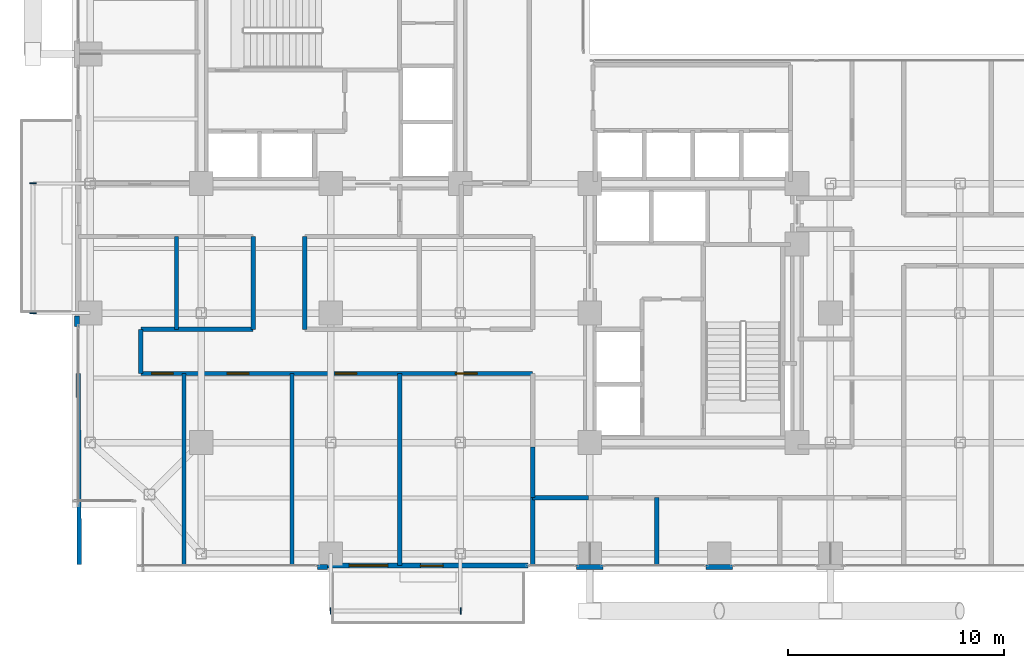
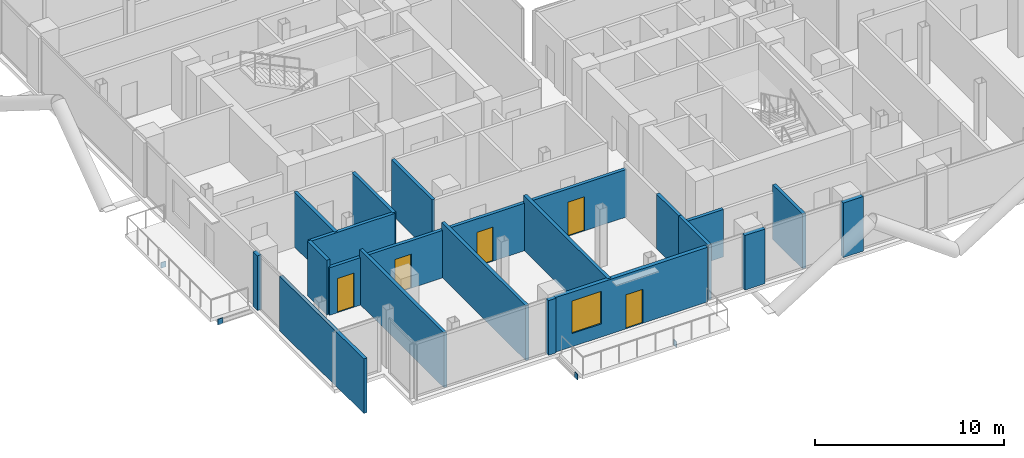
# One storey, part 18 of 24: 19 walls, 5 doors, 4 plates, 1 window, 6 openings.
"""IFC4 building model written with IfcOpenShell, lengths in metres."""

from ifc_helpers import new_model, si_unit, direction, frame, frame_2d, origin, origin_2d, place, context, subcontext, project, spatial, rectangle, extrude, material, layer, layer_set, type_object, element, fill, save


model = new_model("IFC4")

# Units and contexts
model_context = context("Model", 3, precision=1e-05, world=origin(), true_north=direction((0.0, 1.0)))
body_context = subcontext(model_context, "Body", "Model", "MODEL_VIEW")
ifc_project = project(units=[si_unit("LENGTHUNIT", "METRE"), si_unit("AREAUNIT", "SQUARE_METRE"), si_unit("VOLUMEUNIT", "CUBIC_METRE"), si_unit("PLANEANGLEUNIT", "RADIAN"), si_unit("MASSUNIT", "GRAM", prefix="KILO"), si_unit("THERMODYNAMICTEMPERATUREUNIT", "KELVIN"), si_unit("POWERUNIT", "WATT")], contexts=[model_context])

# Site, building, storey
site_placement = place(None, origin())
site = spatial("IfcSite", under=ifc_project, at=site_placement, CompositionType="ELEMENT")
building_placement = place(site_placement, origin())
building = spatial("IfcBuilding", under=site, at=building_placement, Name="Svarakhadi Broadcast Tower", CompositionType="ELEMENT")
storey_placement = place(building_placement, frame((0.0, 0.0, 115.64990234375)))
storey = spatial("IfcBuildingStorey", under=building, at=storey_placement, Name="L27", CompositionType="ELEMENT", Elevation=115.64990234375)

# Plates
ifc_material_1 = material(Name="Steel S460ML (IS 2062 E450BR)", Category="steel")
ifc_layer_1 = layer(ifc_material_1, 0.028076171875)
ifc_layer_set_1 = layer_set([ifc_layer_1], Name="Steel S460ML (IS 2062 E450BR)")
plate_type = type_object("IfcPlateType", Name="Cap_Plate_CP02", PredefinedType="USERDEFINED", material=ifc_layer_set_1)
for number, where, z_axis, x_axis, name in (
    (1, (11.985107421875, -1.800048828125, -0.55517578125), (0.0, 0.0, 1.0), (1.0, 0.0, 0.0), "L27 Balcony Spandrel End Cap Plate 1F-A"),
    (2, (18.014892578125, -1.800048828125, -0.55517578125), (0.0, 0.0, 1.0), (1.0, 0.0, 0.0), "L27 Balcony Spandrel End Cap Plate 1F-B"),
):
    element("IfcPlate", number, at=place(storey_placement, frame(where, z_axis=z_axis, x_axis=x_axis)), inside=storey, type_object=plate_type, Name=name, ObjectType="FLANGE_PLATE", PredefinedType="USERDEFINED", context=body_context, shape_type="SweptSolid", body=[
        extrude(rectangle(XDim=0.0400390625, YDim=0.300048828125, at=origin_2d()), origin(), (0.0, 0.0, 1.0), 0.360107421875),
    ])
for number, where, z_axis, x_axis, name in (
    (3, (-1.800048828125, 11.985107421875, -0.55517578125), (0.0, 0.0, 1.0), (1.0, 0.0, 0.0), "L27 Balcony Spandrel End Cap Plate 2F-A"),
    (4, (-1.800048828125, 18.014892578125, -0.55517578125), (0.0, 0.0, 1.0), (1.0, 0.0, 0.0), "L27 Balcony Spandrel End Cap Plate 2F-B"),
):
    element("IfcPlate", number, at=place(storey_placement, frame(where, z_axis=z_axis, x_axis=x_axis)), inside=storey, type_object=plate_type, Name=name, ObjectType="FLANGE_PLATE", PredefinedType="USERDEFINED", context=body_context, shape_type="SweptSolid", body=[
        extrude(rectangle(XDim=0.300048828125, YDim=0.0400390625, at=origin_2d()), origin(), (0.0, 0.0, 1.0), 0.360107421875),
    ])

# Walls
ifc_material_2 = material(Name="Double-Stud Acoustic Studio Partition STC-62", Category="gypsum")
ifc_layer_2 = layer(ifc_material_2, 0.199951171875)
ifc_layer_set_2 = layer_set([ifc_layer_2], Name="Double-Stud Acoustic Studio Partition STC-62")
wall_type_1 = type_object("IfcWallType", Name="Wall_Acoust_200", PredefinedType="PARTITIONING", material=ifc_layer_set_2)
for number, where, z_axis, x_axis, name in (
    (5, (21.35009765625, 0.300048828125, 0.0), (0.0, 0.0, 1.0), (0.0, 1.0, 0.0), "L27 Harbour Front Production Office Wall"),
    (6, (27.10009765625, 0.300048828125, 0.0), (0.0, 0.0, 1.0), (0.0, 1.0, 0.0), "L27 Harbour Front Production Office Wall"),
):
    element("IfcWall", number, at=place(storey_placement, frame(where, z_axis=z_axis, x_axis=x_axis)), inside=storey, type_object=wall_type_1, Name=name, PredefinedType="PARTITIONING", context=body_context, shape_type="SweptSolid", body=[
        extrude(rectangle(XDim=3.14990234375, YDim=0.199951171875, at=frame_2d((1.574951171875, 0.0))), origin(), (0.0, 0.0, 1.0), 3.525146484375),
    ])
wall_1_placement = place(storey_placement, frame((0.35009765625, 0.35009765625, 0.0), z_axis=(0.0, 0.0, 1.0), x_axis=(-0.005655237989, 0.999984009014, 0.0)))
element("IfcWall", 7, at=wall_1_placement, inside=storey, type_object=wall_type_1, Name="L27 Offline Edit Pod 1 Wall", PredefinedType="PARTITIONING", context=body_context, shape_type="SweptSolid", body=[
    extrude(rectangle(XDim=8.85009765625, YDim=0.199951171875, at=frame_2d((4.425048828125, 0.0))), origin(), (0.0, 0.0, 1.0), 3.525146484375),
])
for number, where, z_axis, x_axis, name in (
    (8, (5.199951171875, 0.300048828125, 0.0), (0.0, 0.0, 1.0), (0.0, 1.0, 0.0), "L27 Offline Edit Pod 1 Wall"),
    (9, (10.199951171875, 0.300048828125, 0.0), (0.0, 0.0, 1.0), (0.0, 1.0, 0.0), "L27 Offline Edit Pod 2 Wall"),
    (10, (15.199951171875, 0.300048828125, 0.0), (0.0, 0.0, 1.0), (0.0, 1.0, 0.0), "L27 Online Finishing Room Wall"),
):
    element("IfcWall", number, at=place(storey_placement, frame(where, z_axis=z_axis, x_axis=x_axis)), inside=storey, type_object=wall_type_1, Name=name, PredefinedType="PARTITIONING", context=body_context, shape_type="SweptSolid", body=[
        extrude(rectangle(XDim=8.89990234375, YDim=0.199951171875, at=frame_2d((4.449951171875, 0.0))), origin(), (0.0, 0.0, 1.0), 3.525146484375),
    ])
wall_2_placement = place(storey_placement, frame((4.85009765625, 11.25, 0.0), z_axis=(0.0, 0.0, 1.0), x_axis=(0.0, 1.0, 0.0)))
element("IfcWall", 11, at=wall_2_placement, inside=storey, type_object=wall_type_1, Name="L27 Voiceover Booth Wall", PredefinedType="PARTITIONING", context=body_context, shape_type="SweptSolid", body=[
    extrude(rectangle(XDim=4.300048828125, YDim=0.199951171875, at=frame_2d((2.14990234375, 0.0))), origin(), (0.0, 0.0, 1.0), 3.525146484375),
])

# Wall, openings, door, window
ifc_material_3 = material(Name="Concrete C40/50 (IS 456 M50)", Category="concrete")
ifc_layer_3 = layer(ifc_material_3, 0.239990234375)
ifc_layer_set_3 = layer_set([ifc_layer_3], Name="Concrete C40/50 (IS 456 M50)")
wall_type_2 = type_object("IfcWallType", Name="Wall_Ext_240", PredefinedType="SOLIDWALL", material=ifc_layer_set_3)
wall_3_placement = place(storey_placement, frame((21.14501953125, 0.300048828125, 0.0), z_axis=(0.0, 0.0, 1.0), x_axis=(-1.0, 0.0, 0.0)))
wall_3 = element("IfcWall", 12, at=wall_3_placement, inside=storey, type_object=wall_type_2, Name="L27 South Tree Balcony Spandrel Wall", PredefinedType="SOLIDWALL", context=body_context, shape_type="SweptSolid", body=[
    extrude(rectangle(XDim=9.2900390625, YDim=0.239990234375, at=frame_2d((4.64501953125, 0.0))), origin(), (0.0, 0.0, 1.0), 3.525146484375),
])
opening_1_placement = place(wall_3_placement, frame((3.945068359375, 0.0, 0.0)))
opening_1 = element("IfcOpeningElement", 13, at=opening_1_placement, cuts=wall_3, Name="Opening ED-05", PredefinedType="OPENING", context=body_context, shape_type="SweptSolid", body=[
    extrude(rectangle(XDim=1.050048828125, YDim=2.199951171875, at=frame_2d((0.52490234375, 1.10009765625))), frame((0.0, 0.1298828125, 0.0), z_axis=(0.0, -1.0, 0.0), x_axis=(1.0, 0.0, 0.0)), (0.0, 0.0, 1.0), 0.260009765625),
])
opening_2_placement = place(wall_3_placement, frame((6.5, 0.0, 0.85009765625)))
opening_2 = element("IfcOpeningElement", 14, at=opening_2_placement, cuts=wall_3, Name="Opening WN-02", PredefinedType="OPENING", context=body_context, shape_type="SweptSolid", body=[
    extrude(rectangle(XDim=1.800048828125, YDim=2.10009765625, at=frame_2d((0.89990234375, 1.050048828125))), frame((0.0, 0.1298828125, 0.0), z_axis=(0.0, -1.0, 0.0), x_axis=(1.0, 0.0, 0.0)), (0.0, 0.0, 1.0), 0.260009765625),
])
ifc_material_4 = material(Name="Anodised Bronze Aluminium AA 6063-T6", Category="aluminium")
door_type_1 = type_object("IfcDoorType", Name="Door_Ext_ED05", OperationType="SINGLE_SWING_LEFT", PredefinedType="DOOR", material=ifc_material_4)
door_1_placement = place(opening_1_placement, origin())
door_1 = element("IfcDoor", 15, at=door_1_placement, inside=storey, type_object=door_type_1, Name="L27 South Tree Balcony Door", OperationType="SINGLE_SWING_LEFT", OverallHeight=2.199951171875, OverallWidth=1.050048828125, PredefinedType="DOOR", context=body_context, shape_type="SweptSolid", body=[
    extrude(rectangle(XDim=1.050048828125, YDim=2.199951171875, at=frame_2d((0.52490234375, 1.10009765625))), frame((0.0, 0.02490234375, 0.0), z_axis=(0.0, -1.0, 0.0), x_axis=(1.0, 0.0, 0.0)), (0.0, 0.0, 1.0), 0.050048828125),
])
fill(opening_1, door_1)
ifc_material_5 = material(Name="Double Low-E Laminated Acoustic Glass IGU 36 mm", Category="glass")
window_type = type_object("IfcWindowType", Name="Win_Fixed_WN02", PartitioningType="SINGLE_PANEL", PredefinedType="WINDOW", material=ifc_material_5)
window_placement = place(opening_2_placement, origin())
window = element("IfcWindow", 16, at=window_placement, inside=storey, type_object=window_type, Name="L27 South Tree Balcony Window", OverallHeight=2.10009765625, OverallWidth=1.800048828125, PartitioningType="SINGLE_PANEL", PredefinedType="WINDOW", context=body_context, shape_type="SweptSolid", body=[
    extrude(rectangle(XDim=1.800048828125, YDim=2.10009765625, at=frame_2d((0.89990234375, 1.050048828125))), frame((0.0, 0.030029296875, 0.0), z_axis=(0.0, -1.0, 0.0), x_axis=(1.0, 0.0, 0.0)), (0.0, 0.0, 1.0), 0.06005859375),
])
fill(opening_2, window)

# Walls
wall_4_placement = place(storey_placement, frame((0.239990234375, 11.385009765625, 0.0), z_axis=(0.0, 0.0, 1.0), x_axis=(0.0, 1.0, 0.0)))
element("IfcWall", 17, at=wall_4_placement, inside=storey, type_object=wall_type_2, Name="L27 Perimeter Bronze Spandrel Closure Wall 01", PredefinedType="SOLIDWALL", context=body_context, shape_type="SweptSolid", body=[
    extrude(rectangle(XDim=0.469970703125, YDim=0.239990234375, at=frame_2d((0.23486328125, 0.0))), origin(), (0.0, 0.0, 1.0), 3.525146484375),
])
for number, where, z_axis, x_axis, name in (
    (18, (30.614990234375, 0.239990234375, 0.0), (0.0, 0.0, 1.0), (-1.0, 0.0, 0.0), "L27 Perimeter Bronze Spandrel Closure Wall 08"),
    (19, (24.614990234375, 0.239990234375, 0.0), (0.0, 0.0, 1.0), (-1.0, 0.0, 0.0), "L27 Perimeter Bronze Spandrel Closure Wall 09"),
):
    element("IfcWall", number, at=place(storey_placement, frame(where, z_axis=z_axis, x_axis=x_axis)), inside=storey, type_object=wall_type_2, Name=name, PredefinedType="SOLIDWALL", context=body_context, shape_type="SweptSolid", body=[
        extrude(rectangle(XDim=1.22998046875, YDim=0.239990234375, at=frame_2d((0.614990234375, 0.0))), origin(), (0.0, 0.0, 1.0), 3.525146484375),
    ])
wall_5_placement = place(storey_placement, frame((11.85498046875, 0.239990234375, 0.0), z_axis=(0.0, 0.0, 1.0), x_axis=(-1.0, 0.0, 0.0)))
element("IfcWall", 20, at=wall_5_placement, inside=storey, type_object=wall_type_2, Name="L27 Perimeter Bronze Spandrel Closure Wall 10", PredefinedType="SOLIDWALL", context=body_context, shape_type="SweptSolid", body=[
    extrude(rectangle(XDim=0.469970703125, YDim=0.239990234375, at=frame_2d((0.23486328125, 0.0))), origin(), (0.0, 0.0, 1.0), 3.525146484375),
])
ifc_layer_4 = layer(ifc_material_3, 0.199951171875)
ifc_layer_set_4 = layer_set([ifc_layer_4], Name="Concrete C40/50 (IS 456 M50)")
wall_type_3 = type_object("IfcWallType", Name="Wall_Fire_200", PredefinedType="SOLIDWALL", material=ifc_layer_set_4)
wall_6_placement = place(storey_placement, frame((3.199951171875, 9.199951171875, 0.0), z_axis=(0.0, 0.0, 1.0), x_axis=(0.0, 1.0, 0.0)))
element("IfcWall", 21, at=wall_6_placement, inside=storey, type_object=wall_type_3, Name="L27 Zone 2/3 Corridor Wall", PredefinedType="SOLIDWALL", context=body_context, shape_type="SweptSolid", body=[
    extrude(rectangle(XDim=2.050048828125, YDim=0.199951171875, at=frame_2d((1.02490234375, 0.0))), origin(), (0.0, 0.0, 1.0), 3.525146484375),
])
wall_7_placement = place(storey_placement, frame((3.199951171875, 11.25, 0.0), z_axis=(0.0, 0.0, 1.0), x_axis=(1.0, 0.0, 0.0)))
element("IfcWall", 22, at=wall_7_placement, inside=storey, type_object=wall_type_3, Name="L27 Zone 2/3 Corridor Wall", PredefinedType="SOLIDWALL", context=body_context, shape_type="SweptSolid", body=[
    extrude(rectangle(XDim=5.199951171875, YDim=0.199951171875, at=frame_2d((2.60009765625, 0.0))), origin(), (0.0, 0.0, 1.0), 3.525146484375),
])
for number, where, z_axis, x_axis, name in (
    (23, (8.39990234375, 11.25, 0.0), (0.0, 0.0, 1.0), (0.0, 1.0, 0.0), "L27 Zone 2/3 Corridor Wall"),
    (24, (10.800048828125, 15.550048828125, 0.0), (0.0, 0.0, 1.0), (0.0, -1.0, 0.0), "L27 Zone 2/3 Corridor Wall"),
):
    element("IfcWall", number, at=place(storey_placement, frame(where, z_axis=z_axis, x_axis=x_axis)), inside=storey, type_object=wall_type_3, Name=name, PredefinedType="SOLIDWALL", context=body_context, shape_type="SweptSolid", body=[
        extrude(rectangle(XDim=4.300048828125, YDim=0.199951171875, at=frame_2d((2.14990234375, 0.0))), origin(), (0.0, 0.0, 1.0), 3.525146484375),
    ])
wall_8_placement = place(storey_placement, frame((23.949951171875, 3.449951171875, 0.0), z_axis=(0.0, 0.0, 1.0), x_axis=(-1.0, 0.0, 0.0)))
element("IfcWall", 25, at=wall_8_placement, inside=storey, type_object=wall_type_3, Name="L27 Zone 2/3 Corridor Wall", PredefinedType="SOLIDWALL", context=body_context, shape_type="SweptSolid", body=[
    extrude(rectangle(XDim=2.599853515625, YDim=0.199951171875, at=frame_2d((1.2998046875, 0.0))), origin(), (0.0, 0.0, 1.0), 3.067138671875),
])
wall_9_placement = place(storey_placement, frame((21.35009765625, 3.449951171875, 0.0), z_axis=(0.0, 0.0, 1.0), x_axis=(0.0, 1.0, 0.0)))
element("IfcWall", 26, at=wall_9_placement, inside=storey, type_object=wall_type_3, Name="L27 Zone 2/3 Corridor Wall", PredefinedType="SOLIDWALL", context=body_context, shape_type="SweptSolid", body=[
    extrude(rectangle(XDim=2.35009765625, YDim=0.199951171875, at=frame_2d((1.175048828125, 0.0))), origin(), (0.0, 0.0, 1.0), 3.525146484375),
])

# Wall, openings, doors
wall_10_placement = place(storey_placement, frame((21.35009765625, 9.199951171875, 0.0), z_axis=(0.0, 0.0, 1.0), x_axis=(-1.0, 0.0, 0.0)))
wall_10 = element("IfcWall", 27, at=wall_10_placement, inside=storey, type_object=wall_type_3, Name="L27 Zone 2/3 Corridor Wall", PredefinedType="SOLIDWALL", context=body_context, shape_type="SweptSolid", body=[
    extrude(rectangle(XDim=18.150146484375, YDim=0.199951171875, at=frame_2d((9.0751953125, 0.0))), origin(), (0.0, 0.0, 1.0), 3.067138671875),
])
opening_3_placement = place(wall_10_placement, frame((16.64990234375, 0.0, 0.0)))
opening_3 = element("IfcOpeningElement", 28, at=opening_3_placement, cuts=wall_10, Name="Opening D-09", PredefinedType="OPENING", context=body_context, shape_type="SweptSolid", body=[
    extrude(rectangle(XDim=1.0, YDim=2.199951171875, at=frame_2d((0.5, 1.10009765625))), frame((0.0, 0.10986328125, 0.0), z_axis=(0.0, -1.0, 0.0), x_axis=(1.0, 0.0, 0.0)), (0.0, 0.0, 1.0), 0.219970703125),
])
opening_4_placement = place(wall_10_placement, frame((13.14990234375, 0.0, 0.0)))
opening_4 = element("IfcOpeningElement", 29, at=opening_4_placement, cuts=wall_10, Name="Opening D-08", PredefinedType="OPENING", context=body_context, shape_type="SweptSolid", body=[
    extrude(rectangle(XDim=1.0, YDim=2.199951171875, at=frame_2d((0.5, 1.10009765625))), frame((0.0, 0.10986328125, 0.0), z_axis=(0.0, -1.0, 0.0), x_axis=(1.0, 0.0, 0.0)), (0.0, 0.0, 1.0), 0.219970703125),
])
opening_5_placement = place(wall_10_placement, frame((8.14990234375, 0.0, 0.0)))
opening_5 = element("IfcOpeningElement", 30, at=opening_5_placement, cuts=wall_10, Name="Opening D-09", PredefinedType="OPENING", context=body_context, shape_type="SweptSolid", body=[
    extrude(rectangle(XDim=1.0, YDim=2.199951171875, at=frame_2d((0.5, 1.10009765625))), frame((0.0, 0.10986328125, 0.0), z_axis=(0.0, -1.0, 0.0), x_axis=(1.0, 0.0, 0.0)), (0.0, 0.0, 1.0), 0.219970703125),
])
opening_6_placement = place(wall_10_placement, frame((2.574951171875, 0.0, 0.0)))
opening_6 = element("IfcOpeningElement", 31, at=opening_6_placement, cuts=wall_10, Name="Opening D-08", PredefinedType="OPENING", context=body_context, shape_type="SweptSolid", body=[
    extrude(rectangle(XDim=1.0, YDim=2.199951171875, at=frame_2d((0.5, 1.10009765625))), frame((0.0, 0.10986328125, 0.0), z_axis=(0.0, -1.0, 0.0), x_axis=(1.0, 0.0, 0.0)), (0.0, 0.0, 1.0), 0.219970703125),
])
ifc_material_6 = material(Name="Solid-Core Teak Veneer Acoustic Timber Leaf", Category="wood")
door_type_2 = type_object("IfcDoorType", Name="Door_Suite_D08", OperationType="SINGLE_SWING_LEFT", PredefinedType="DOOR", material=ifc_material_6)
door_2_placement = place(opening_4_placement, origin())
door_2 = element("IfcDoor", 32, at=door_2_placement, inside=storey, type_object=door_type_2, Name="L27 Offline Edit Pod 2 Door", OperationType="SINGLE_SWING_LEFT", OverallHeight=2.199951171875, OverallWidth=1.0, PredefinedType="DOOR", context=body_context, shape_type="SweptSolid", body=[
    extrude(rectangle(XDim=1.0, YDim=2.199951171875, at=frame_2d((0.5, 1.10009765625))), frame((0.0, 0.02490234375, 0.0), z_axis=(0.0, -1.0, 0.0), x_axis=(1.0, 0.0, 0.0)), (0.0, 0.0, 1.0), 0.050048828125),
])
fill(opening_4, door_2)
door_3_placement = place(opening_6_placement, origin())
door_3 = element("IfcDoor", 33, at=door_3_placement, inside=storey, type_object=door_type_2, Name="L27 Audio Layback Pod Door", OperationType="SINGLE_SWING_LEFT", OverallHeight=2.199951171875, OverallWidth=1.0, PredefinedType="DOOR", context=body_context, shape_type="SweptSolid", body=[
    extrude(rectangle(XDim=1.0, YDim=2.199951171875, at=frame_2d((0.5, 1.10009765625))), frame((0.0, 0.02490234375, 0.0), z_axis=(0.0, -1.0, 0.0), x_axis=(1.0, 0.0, 0.0)), (0.0, 0.0, 1.0), 0.050048828125),
])
fill(opening_6, door_3)
door_type_3 = type_object("IfcDoorType", Name="Door_Suite_D09", OperationType="SINGLE_SWING_RIGHT", PredefinedType="DOOR", material=ifc_material_6)
door_4_placement = place(opening_3_placement, origin())
door_4 = element("IfcDoor", 34, at=door_4_placement, inside=storey, type_object=door_type_3, Name="L27 Offline Edit Pod 1 Door", OperationType="SINGLE_SWING_RIGHT", OverallHeight=2.199951171875, OverallWidth=1.0, PredefinedType="DOOR", context=body_context, shape_type="SweptSolid", body=[
    extrude(rectangle(XDim=1.0, YDim=2.199951171875, at=frame_2d((0.5, 1.10009765625))), frame((0.0, 0.02490234375, 0.0), z_axis=(0.0, -1.0, 0.0), x_axis=(1.0, 0.0, 0.0)), (0.0, 0.0, 1.0), 0.050048828125),
])
fill(opening_3, door_4)
door_5_placement = place(opening_5_placement, origin())
door_5 = element("IfcDoor", 35, at=door_5_placement, inside=storey, type_object=door_type_3, Name="L27 Online Finishing Room Door", OperationType="SINGLE_SWING_RIGHT", OverallHeight=2.199951171875, OverallWidth=1.0, PredefinedType="DOOR", context=body_context, shape_type="SweptSolid", body=[
    extrude(rectangle(XDim=1.0, YDim=2.199951171875, at=frame_2d((0.5, 1.10009765625))), frame((0.0, 0.02490234375, 0.0), z_axis=(0.0, -1.0, 0.0), x_axis=(1.0, 0.0, 0.0)), (0.0, 0.0, 1.0), 0.050048828125),
])
fill(opening_5, door_5)

save(model, "model.ifc")
